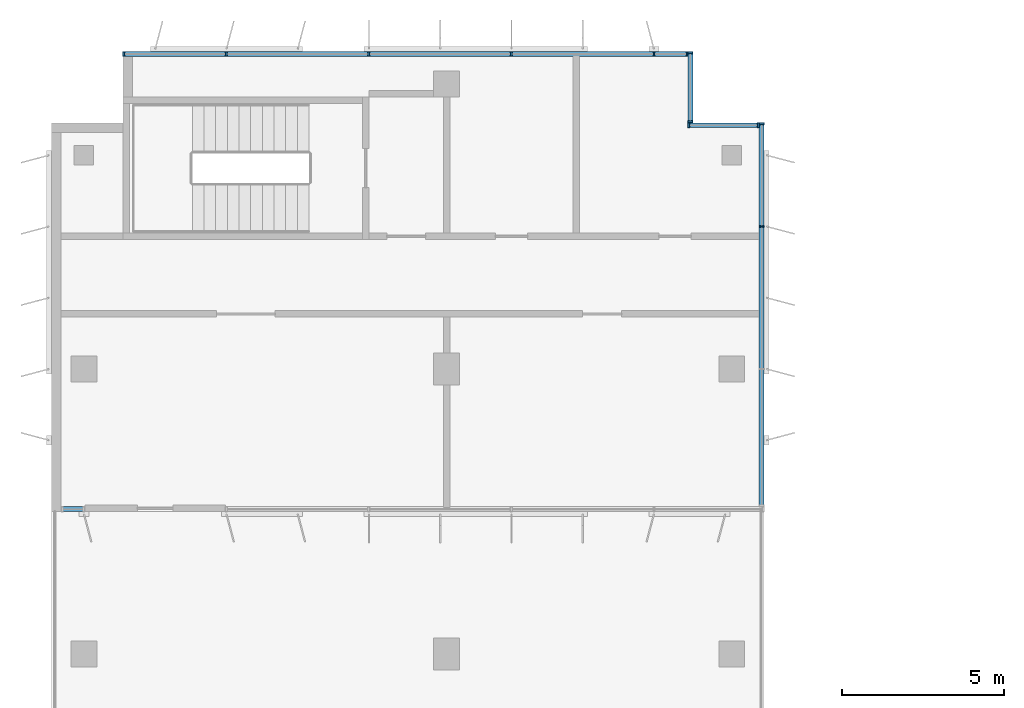
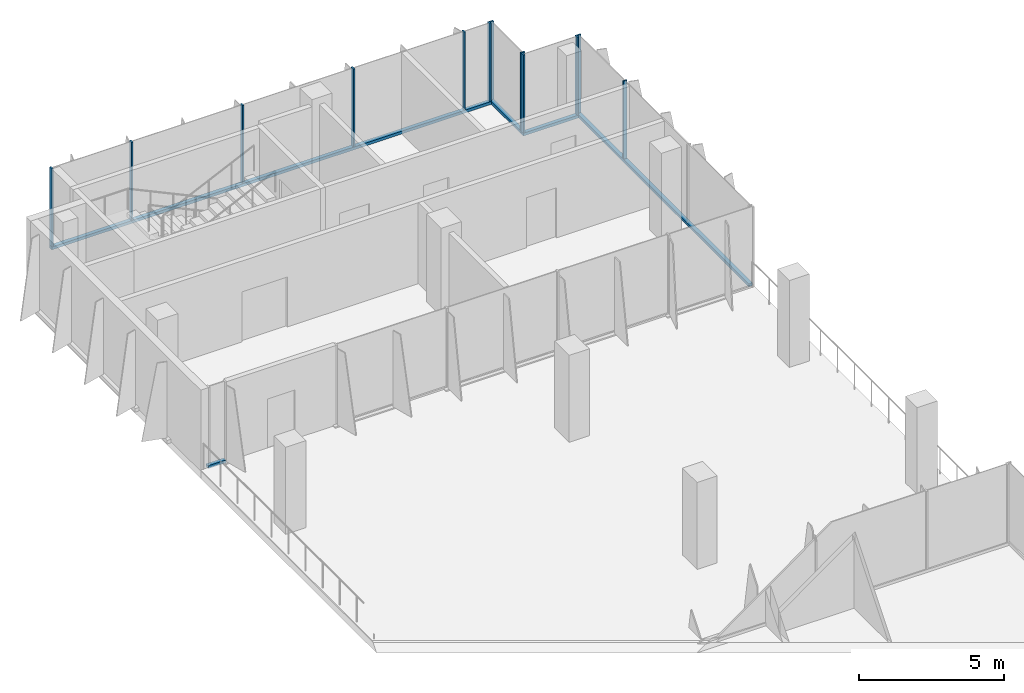
# One storey, part 5 of 15: 17 members, 5 elements without a shape of their own.
"""IFC4 building model written with IfcOpenShell, lengths in metres."""

from ifc_helpers import new_model, si_unit, direction, frame, origin, origin_2d, place, context, subcontext, project, spatial, rectangle, extrude, source, transform, mapped, material, material_profile, profile_set, type_object, element, aggregate, save


model = new_model("IFC4")

# Units and contexts
model_context = context("Model", 3, precision=1e-05, world=origin(), true_north=direction((0.0, 1.0)))
body_context = subcontext(model_context, "Body", "Model", "MODEL_VIEW")
ifc_project = project(units=[si_unit("LENGTHUNIT", "METRE"), si_unit("AREAUNIT", "SQUARE_METRE"), si_unit("VOLUMEUNIT", "CUBIC_METRE"), si_unit("PLANEANGLEUNIT", "RADIAN"), si_unit("MASSUNIT", "GRAM", prefix="KILO")], contexts=[model_context])

# Site, building, storey
site_placement = place(None, origin())
site = spatial("IfcSite", under=ifc_project, at=site_placement, CompositionType="ELEMENT")
building_placement = place(site_placement, origin())
building = spatial("IfcBuilding", under=site, at=building_placement, Name="Kemantara Hotel Tower", CompositionType="ELEMENT")
storey_placement = place(building_placement, frame((0.0, 0.0, 241.300048828125)))
storey = spatial("IfcBuildingStorey", under=building, at=storey_placement, Name="L60", CompositionType="ELEMENT", Elevation=241.300048828125)

# Curtain wall, member
ifc_material_1 = material(Name="Toughened tinted glass 32 mm", Category="glass")
curtain_wall_type_1 = type_object("IfcCurtainWallType", Name="TERRACE GLAZING WALL", PredefinedType="USERDEFINED", material=ifc_material_1)
curtain_wall_1_placement = place(storey_placement, origin())
curtain_wall_1 = element("IfcCurtainWall", 1, at=curtain_wall_1_placement, inside=storey, type_object=curtain_wall_type_1, Name="CW6 L60 T4P-R12-1", ObjectType="TERRACE GLAZING WALL", PredefinedType="USERDEFINED")
ifc_material_2 = material(Name="Aluminium 6063-T6 bronze anodised", Category="aluminium")
ifc_material_profile_1 = material_profile(ifc_material_2, rectangle(XDim=0.14990234375, YDim=0.1201171875, at=origin_2d()), Name="TERRACE GLAZING WALL TRANSOM")
ifc_profile_set_1 = profile_set([ifc_material_profile_1], Name="Aluminium 6063-T6 bronze anodised")
member_type_1 = type_object("IfcMemberType", Name="TERRACE GLAZING WALL TRANSOM", PredefinedType="USERDEFINED", material=ifc_profile_set_1)
member_1_placement = place(storey_placement, frame((0.300048828125, 49.47509765625, 0.06005859375), z_axis=(1.0, 0.0, 0.0), x_axis=(0.0, 1.0, 0.0)))
member_1 = element("IfcMember", 2, at=member_1_placement, type_object=member_type_1, Name="CW6 sill transom T4P-R12-1", ObjectType="TRANSOM", PredefinedType="USERDEFINED", context=body_context, shape_type="SweptSolid", body=[
    extrude(rectangle(XDim=0.14990234375, YDim=0.1201171875, at=origin_2d()), origin(), (0.0, 0.0, 1.0), 0.699951171875),
])
aggregate(curtain_wall_1, [member_1])

ifc_material_3 = material(Name="Low-E tinted double insulated glass 36 mm", Category="glass")
curtain_wall_type_2 = type_object("IfcCurtainWallType", Name="TOWER CURTAIN WALL, FRONT FACES", PredefinedType="USERDEFINED", material=ifc_material_3)
curtain_wall_2_placement = place(storey_placement, origin())
curtain_wall_2 = element("IfcCurtainWall", 3, at=curtain_wall_2_placement, inside=storey, type_object=curtain_wall_type_2, Name="CW4 L60 T4P-R13-1", ObjectType="TOWER CURTAIN WALL, FRONT FACES", PredefinedType="USERDEFINED")
ifc_material_profile_2 = material_profile(ifc_material_2, rectangle(XDim=0.14990234375, YDim=0.1201171875, at=origin_2d()), Name="TOWER CURTAIN WALL, FRONT FACES TRANSOM")
ifc_profile_set_2 = profile_set([ifc_material_profile_2], Name="Aluminium 6063-T6 bronze anodised")
member_type_2 = type_object("IfcMemberType", Name="TOWER CURTAIN WALL, FRONT FACES TRANSOM", PredefinedType="USERDEFINED", material=ifc_profile_set_2)
member_2_placement = place(storey_placement, frame((21.925048828125, 49.550048828125, 0.06005859375), z_axis=(0.0, 1.0, 0.0), x_axis=(-1.0, 0.0, 0.0)))
member_2 = element("IfcMember", 4, at=member_2_placement, type_object=member_type_2, Name="CW4 sill transom T4P-R13-1", ObjectType="TRANSOM", PredefinedType="USERDEFINED", context=body_context, shape_type="SweptSolid", body=[
    extrude(rectangle(XDim=0.14990234375, YDim=0.1201171875, at=origin_2d()), origin(), (0.0, 0.0, 1.0), 11.849853515625),
])

curtain_wall_3_placement = place(storey_placement, origin())
curtain_wall_3 = element("IfcCurtainWall", 5, at=curtain_wall_3_placement, inside=storey, type_object=curtain_wall_type_2, Name="CW4 L60 T4P-R16-1", ObjectType="TOWER CURTAIN WALL, FRONT FACES", PredefinedType="USERDEFINED")
member_3_placement = place(storey_placement, frame((19.64990234375, 63.52490234375, 0.06005859375), z_axis=(-1.0, 0.0, 0.0), x_axis=(0.0, -1.0, 0.0)))
member_3 = element("IfcMember", 6, at=member_3_placement, type_object=member_type_2, Name="CW4 sill transom T4P-R16-1", ObjectType="TRANSOM", PredefinedType="USERDEFINED", context=body_context, shape_type="SweptSolid", body=[
    extrude(rectangle(XDim=0.14990234375, YDim=0.1201171875, at=origin_2d()), origin(), (0.0, 0.0, 1.0), 17.449951171875),
])

curtain_wall_4_placement = place(storey_placement, origin())
curtain_wall_4 = element("IfcCurtainWall", 7, at=curtain_wall_4_placement, inside=storey, type_object=curtain_wall_type_2, Name="CW4 L60 T4P-R14-1", ObjectType="TOWER CURTAIN WALL, FRONT FACES", PredefinedType="USERDEFINED")
member_4_placement = place(storey_placement, frame((21.85009765625, 61.324951171875, 0.06005859375), z_axis=(-1.0, 0.0, 0.0), x_axis=(0.0, -1.0, 0.0)))
member_4 = element("IfcMember", 8, at=member_4_placement, type_object=member_type_2, Name="CW4 sill transom T4P-R14-1", ObjectType="TRANSOM", PredefinedType="USERDEFINED", context=body_context, shape_type="SweptSolid", body=[
    extrude(rectangle(XDim=0.14990234375, YDim=0.1201171875, at=origin_2d()), origin(), (0.0, 0.0, 1.0), 2.2001953125),
])

curtain_wall_5_placement = place(storey_placement, origin())
curtain_wall_5 = element("IfcCurtainWall", 9, at=curtain_wall_5_placement, inside=storey, type_object=curtain_wall_type_2, Name="CW4 L60 T4P-R15-1", ObjectType="TOWER CURTAIN WALL, FRONT FACES", PredefinedType="USERDEFINED")
member_5_placement = place(storey_placement, frame((19.72509765625, 61.39990234375, 0.06005859375), z_axis=(0.0, 1.0, 0.0), x_axis=(-1.0, 0.0, 0.0)))
member_5 = element("IfcMember", 10, at=member_5_placement, type_object=member_type_2, Name="CW4 sill transom T4P-R15-1", ObjectType="TRANSOM", PredefinedType="USERDEFINED", context=body_context, shape_type="SweptSolid", body=[
    extrude(rectangle(XDim=0.14990234375, YDim=0.1201171875, at=origin_2d()), origin(), (0.0, 0.0, 1.0), 2.2001953125),
])

# Member
ifc_material_profile_3 = material_profile(ifc_material_2, rectangle(XDim=0.14990234375, YDim=0.06005859375, at=origin_2d()), Name="TOWER CURTAIN WALL, FRONT FACES MULLION")
ifc_profile_set_3 = profile_set([ifc_material_profile_3], Name="Aluminium 6063-T6 bronze anodised")
member_type_3 = type_object("IfcMemberType", Name="TOWER CURTAIN WALL, FRONT FACES MULLION", PredefinedType="MULLION", material=ifc_profile_set_3)
shared_shape = source(origin(), body_context, "Body", "SweptSolid", [
    extrude(rectangle(XDim=0.14990234375, YDim=0.06005859375, at=origin_2d()), origin(), (0.0, 0.0, 1.0), 3.280029296875),
])
member_6_placement = place(storey_placement, frame((21.925048828125, 58.199951171875, 0.119873046875), z_axis=(0.0, 0.0, 1.0), x_axis=(-1.0, 0.0, 0.0)))
member_6 = element("IfcMember", 11, at=member_6_placement, type_object=member_type_3, Name="CW4 mullion T4P-R13-1.3", PredefinedType="MULLION", context=body_context, shape_type="MappedRepresentation", body=[
    mapped(shared_shape, transform((0.0, 0.0, 0.0))),
])

member_7_placement = place(storey_placement, frame((21.925048828125, 61.3701171875, 0.119873046875), z_axis=(0.0, 0.0, 1.0), x_axis=(-1.0, 0.0, 0.0)))
member_7 = element("IfcMember", 12, at=member_7_placement, type_object=member_type_3, Name="CW4 mullion T4P-R13-1.4", PredefinedType="MULLION", context=body_context, shape_type="MappedRepresentation", body=[
    mapped(shared_shape, transform((0.0, 0.0, 0.0))),
])

aggregate(curtain_wall_2, [member_2, member_6, member_7])

member_8_placement = place(storey_placement, frame((19.6201171875, 63.52490234375, 0.119873046875), z_axis=(0.0, 0.0, 1.0), x_axis=(0.0, -1.0, 0.0)))
member_8 = element("IfcMember", 13, at=member_8_placement, type_object=member_type_3, Name="CW4 mullion T4P-R16-1.1", PredefinedType="MULLION", context=body_context, shape_type="MappedRepresentation", body=[
    mapped(shared_shape, transform((0.0, 0.0, 0.0))),
])

member_9_placement = place(storey_placement, frame((18.60009765625, 63.52490234375, 0.119873046875), z_axis=(0.0, 0.0, 1.0), x_axis=(0.0, -1.0, 0.0)))
member_9 = element("IfcMember", 14, at=member_9_placement, type_object=member_type_3, Name="CW4 mullion T4P-R16-1.2", PredefinedType="MULLION", context=body_context, shape_type="MappedRepresentation", body=[
    mapped(shared_shape, transform((0.0, 0.0, 0.0))),
])

member_10_placement = place(storey_placement, frame((14.199951171875, 63.52490234375, 0.119873046875), z_axis=(0.0, 0.0, 1.0), x_axis=(0.0, -1.0, 0.0)))
member_10 = element("IfcMember", 15, at=member_10_placement, type_object=member_type_3, Name="CW4 mullion T4P-R16-1.3", PredefinedType="MULLION", context=body_context, shape_type="MappedRepresentation", body=[
    mapped(shared_shape, transform((0.0, 0.0, 0.0))),
])

member_11_placement = place(storey_placement, frame((9.800048828125, 63.52490234375, 0.119873046875), z_axis=(0.0, 0.0, 1.0), x_axis=(0.0, -1.0, 0.0)))
member_11 = element("IfcMember", 16, at=member_11_placement, type_object=member_type_3, Name="CW4 mullion T4P-R16-1.4", PredefinedType="MULLION", context=body_context, shape_type="MappedRepresentation", body=[
    mapped(shared_shape, transform((0.0, 0.0, 0.0))),
])

member_12_placement = place(storey_placement, frame((5.39990234375, 63.52490234375, 0.119873046875), z_axis=(0.0, 0.0, 1.0), x_axis=(0.0, -1.0, 0.0)))
member_12 = element("IfcMember", 17, at=member_12_placement, type_object=member_type_3, Name="CW4 mullion T4P-R16-1.5", PredefinedType="MULLION", context=body_context, shape_type="MappedRepresentation", body=[
    mapped(shared_shape, transform((0.0, 0.0, 0.0))),
])

member_13_placement = place(storey_placement, frame((2.22998046875, 63.52490234375, 0.119873046875), z_axis=(0.0, 0.0, 1.0), x_axis=(0.0, -1.0, 0.0)))
member_13 = element("IfcMember", 18, at=member_13_placement, type_object=member_type_3, Name="CW4 mullion T4P-R16-1.6", PredefinedType="MULLION", context=body_context, shape_type="MappedRepresentation", body=[
    mapped(shared_shape, transform((0.0, 0.0, 0.0))),
])

aggregate(curtain_wall_3, [member_3, member_8, member_9, member_10, member_11, member_12, member_13])

member_14_placement = place(storey_placement, frame((21.820068359375, 61.324951171875, 0.119873046875), z_axis=(0.0, 0.0, 1.0), x_axis=(0.0, -1.0, 0.0)))
member_14 = element("IfcMember", 19, at=member_14_placement, type_object=member_type_3, Name="CW4 mullion T4P-R14-1.1", PredefinedType="MULLION", context=body_context, shape_type="MappedRepresentation", body=[
    mapped(shared_shape, transform((0.0, 0.0, 0.0))),
])

member_15_placement = place(storey_placement, frame((19.679931640625, 61.324951171875, 0.119873046875), z_axis=(0.0, 0.0, 1.0), x_axis=(0.0, -1.0, 0.0)))
member_15 = element("IfcMember", 20, at=member_15_placement, type_object=member_type_3, Name="CW4 mullion T4P-R14-1.2", PredefinedType="MULLION", context=body_context, shape_type="MappedRepresentation", body=[
    mapped(shared_shape, transform((0.0, 0.0, 0.0))),
])

aggregate(curtain_wall_4, [member_4, member_14, member_15])

member_16_placement = place(storey_placement, frame((19.72509765625, 61.429931640625, 0.119873046875), z_axis=(0.0, 0.0, 1.0), x_axis=(-1.0, 0.0, 0.0)))
member_16 = element("IfcMember", 21, at=member_16_placement, type_object=member_type_3, Name="CW4 mullion T4P-R15-1.1", PredefinedType="MULLION", context=body_context, shape_type="MappedRepresentation", body=[
    mapped(shared_shape, transform((0.0, 0.0, 0.0))),
])

member_17_placement = place(storey_placement, frame((19.72509765625, 63.570068359375, 0.119873046875), z_axis=(0.0, 0.0, 1.0), x_axis=(-1.0, 0.0, 0.0)))
member_17 = element("IfcMember", 22, at=member_17_placement, type_object=member_type_3, Name="CW4 mullion T4P-R15-1.2", PredefinedType="MULLION", context=body_context, shape_type="MappedRepresentation", body=[
    mapped(shared_shape, transform((0.0, 0.0, 0.0))),
])

aggregate(curtain_wall_5, [member_5, member_16, member_17])

save(model, "model.ifc")
